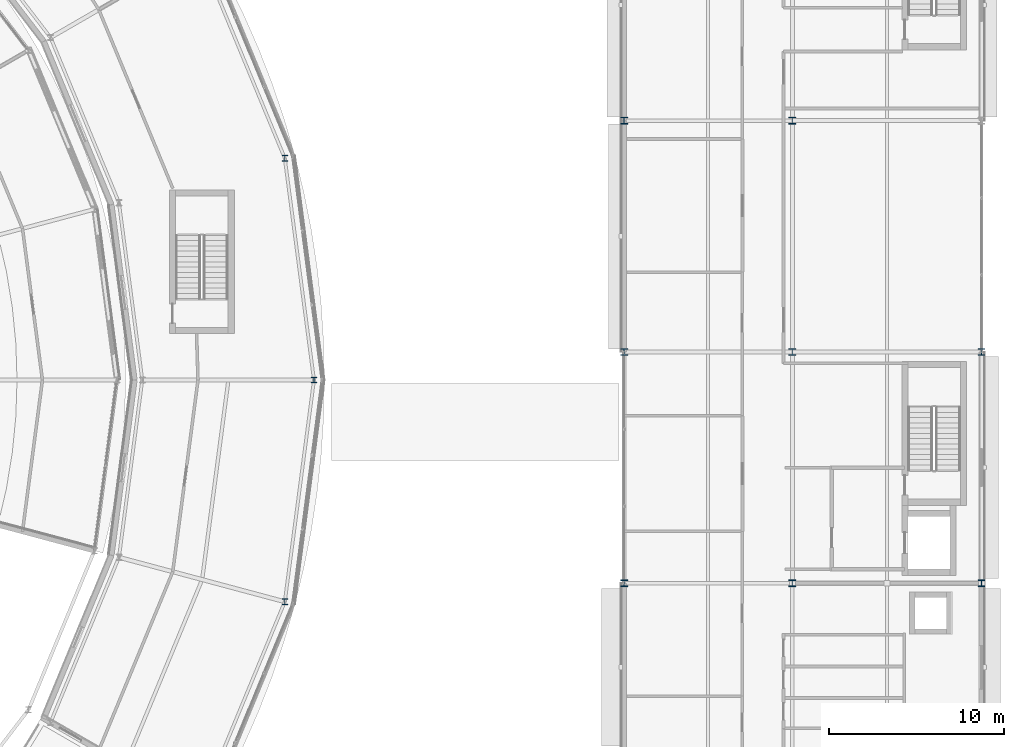
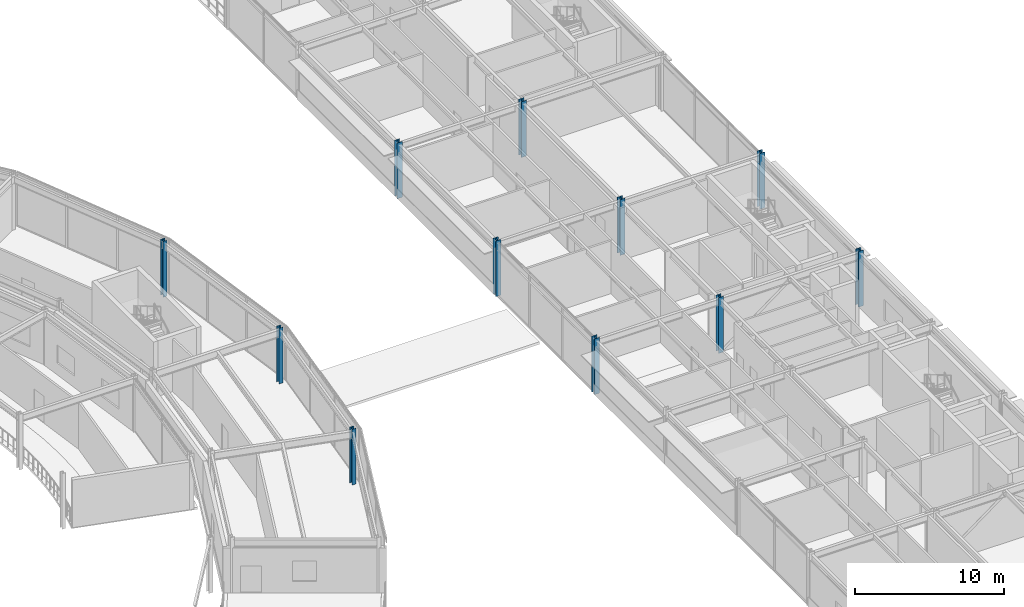
# One storey, part 16 of 133: 11 columns.
"""IFC4 building model written with IfcOpenShell, lengths in metres."""

from ifc_helpers import new_model, si_unit, direction, frame, origin, origin_2d, place, context, subcontext, project, spatial, i_section, extrude, material, material_profile, profile_set, type_object, element, save


model = new_model("IFC4")

# Units and contexts
model_context = context("Model", 3, precision=1e-05, world=origin(), true_north=direction((0.0, 1.0)))
body_context = subcontext(model_context, "Body", "Model", "MODEL_VIEW")
ifc_project = project(units=[si_unit("LENGTHUNIT", "METRE"), si_unit("AREAUNIT", "SQUARE_METRE"), si_unit("VOLUMEUNIT", "CUBIC_METRE"), si_unit("PLANEANGLEUNIT", "RADIAN"), si_unit("MASSUNIT", "GRAM", prefix="KILO")], contexts=[model_context])

# Site, building, storey
site_placement = place(None, origin())
site = spatial("IfcSite", under=ifc_project, at=site_placement, CompositionType="ELEMENT")
building_placement = place(site_placement, origin())
building = spatial("IfcBuilding", under=site, at=building_placement, Name="Almandine Court Research Institute", CompositionType="ELEMENT")
storey_placement = place(building_placement, frame((0.0, 0.0, 9.800048828125)))
storey = spatial("IfcBuildingStorey", under=building, at=storey_placement, Name="L02", CompositionType="ELEMENT", Elevation=9.800048828125)

# Columns
ifc_material = material(Name="Steel ASTM A992 Grade 50", Category="steel")
ifc_material_profile_1 = material_profile(ifc_material, i_section(OverallWidth=0.39404296875, OverallDepth=0.375, WebThickness=0.02001953125, FlangeThickness=0.031982421875, at=origin_2d()), Name="W360x216")
ifc_profile_set_1 = profile_set([ifc_material_profile_1], Name="Steel ASTM A992 Grade 50")
column_type_1 = type_object("IfcColumnType", Name="Col-C-W02", PredefinedType="COLUMN", material=ifc_profile_set_1)
for number, where, z_axis, x_axis, name in (
    (1, (153.60009765625, 44.39990234375, 0.0), (0.0, 0.0, 1.0), (1.0, 0.0, 0.0), "L02 V4 Column V4-X2Y5"),
    (2, (153.60009765625, 57.60009765625, 0.0), (0.0, 0.0, 1.0), (1.0, 0.0, 0.0), "L02 V4 Column V4-X2Y6"),
    (3, (153.60009765625, 70.800048828125, 0.0), (0.0, 0.0, 1.0), (1.0, 0.0, 0.0), "L02 V4 Column V4-X2Y7"),
    (4, (163.199951171875, 44.39990234375, 0.0), (0.0, 0.0, 1.0), (1.0, 0.0, 0.0), "L02 V4 Column V4-X3Y5"),
    (5, (163.199951171875, 57.60009765625, 0.0), (0.0, 0.0, 1.0), (1.0, 0.0, 0.0), "L02 V4 Column V4-X3Y6"),
    (6, (163.199951171875, 70.800048828125, 0.0), (0.0, 0.0, 1.0), (1.0, 0.0, 0.0), "L02 V4 Column V4-X3Y7"),
):
    element("IfcColumn", number, at=place(storey_placement, frame(where, z_axis=z_axis, x_axis=x_axis)), inside=storey, type_object=column_type_1, Name=name, PredefinedType="COLUMN", context=body_context, shape_type="SweptSolid", body=[
        extrude(i_section(OverallWidth=0.39404296875, OverallDepth=0.375, WebThickness=0.02001953125, FlangeThickness=0.031982421875, at=origin_2d()), origin(), (0.0, 0.0, 1.0), 4.550048828125),
    ])
ifc_material_profile_2 = material_profile(ifc_material, i_section(OverallWidth=0.39404296875, OverallDepth=0.375, WebThickness=0.02001953125, FlangeThickness=0.031982421875, at=origin_2d()), Name="W360x216")
ifc_profile_set_2 = profile_set([ifc_material_profile_2], Name="Steel ASTM A992 Grade 50")
column_type_2 = type_object("IfcColumnType", Name="Col-C-W02-E", PredefinedType="COLUMN", material=ifc_profile_set_2)
for number, where, z_axis, x_axis, name in (
    (7, (174.0, 44.39990234375, 0.0), (0.0, 0.0, 1.0), (1.0, 0.0, 0.0), "L02 V4 Column V4-X4Y5"),
    (8, (174.0, 57.60009765625, 0.0), (0.0, 0.0, 1.0), (1.0, 0.0, 0.0), "L02 V4 Column V4-X4Y6"),
):
    element("IfcColumn", number, at=place(storey_placement, frame(where, z_axis=z_axis, x_axis=x_axis)), inside=storey, type_object=column_type_2, Name=name, PredefinedType="COLUMN", context=body_context, shape_type="SweptSolid", body=[
        extrude(i_section(OverallWidth=0.39404296875, OverallDepth=0.375, WebThickness=0.02001953125, FlangeThickness=0.031982421875, at=origin_2d()), origin(), (0.0, 0.0, 1.0), 4.550048828125),
    ])
ifc_material_profile_3 = material_profile(ifc_material, i_section(OverallWidth=0.31005859375, OverallDepth=0.326904296875, WebThickness=0.01611328125, FlangeThickness=0.02490234375, at=origin_2d()), Name="W310x158")
ifc_profile_set_3 = profile_set([ifc_material_profile_3], Name="Steel ASTM A992 Grade 50")
column_type_3 = type_object("IfcColumnType", Name="Col-C-W06-E", PredefinedType="COLUMN", material=ifc_profile_set_3)
for number, where, z_axis, x_axis, name in (
    (9, (135.89990234375, 56.0, 0.0), (0.0, 0.0, 1.0), (1.0, 0.0, 0.0), "L02 V5 Column V5-OUT-S00"),
    (10, (134.23388671875, 68.656005859375, 0.0), (0.0, 0.0, 1.0), (1.0, 0.0, 0.0), "L02 V5 Column V5-OUT-S01"),
    (11, (134.23388671875, 43.343994140625, 0.0), (0.0, 0.0, 1.0), (1.0, 0.0, 0.0), "L02 V5 Column V5-OUT-S23"),
):
    element("IfcColumn", number, at=place(storey_placement, frame(where, z_axis=z_axis, x_axis=x_axis)), inside=storey, type_object=column_type_3, Name=name, PredefinedType="COLUMN", context=body_context, shape_type="SweptSolid", body=[
        extrude(i_section(OverallWidth=0.31005859375, OverallDepth=0.326904296875, WebThickness=0.01611328125, FlangeThickness=0.02490234375, at=origin_2d()), origin(), (0.0, 0.0, 1.0), 4.550048828125),
    ])

save(model, "model.ifc")
